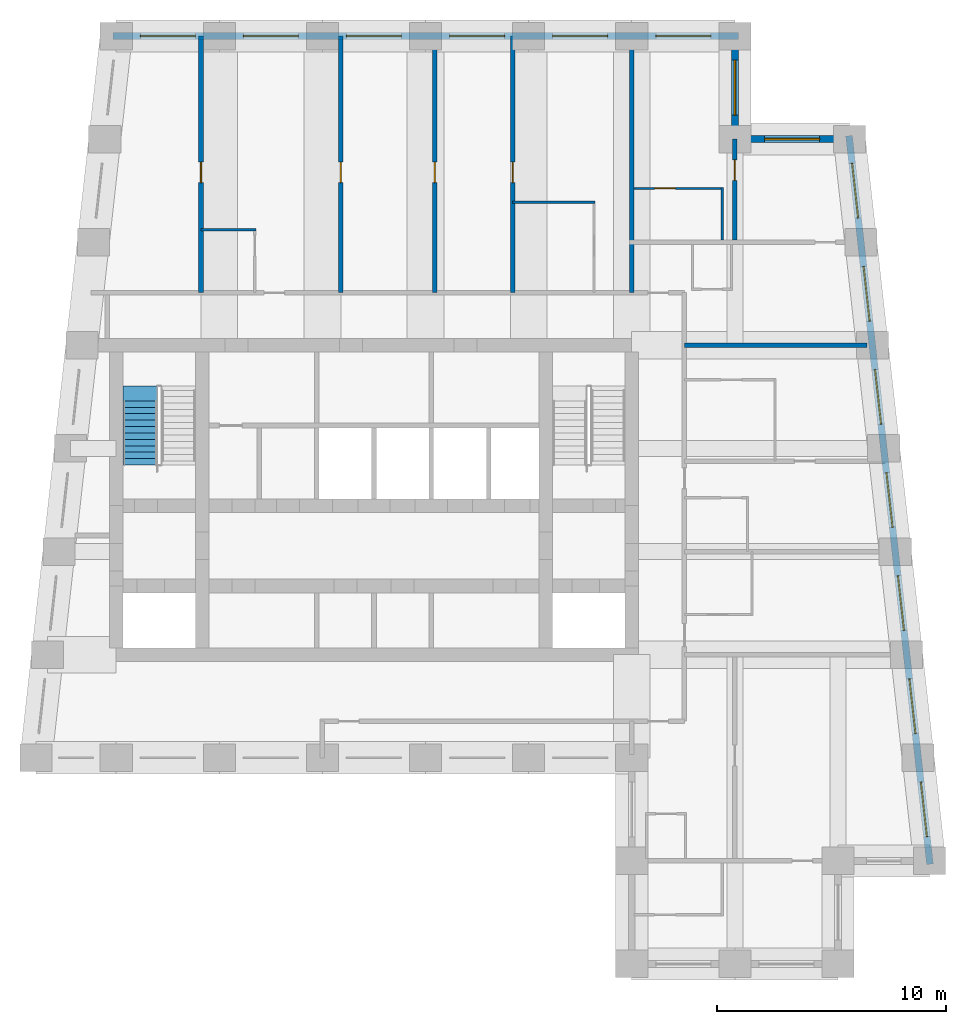
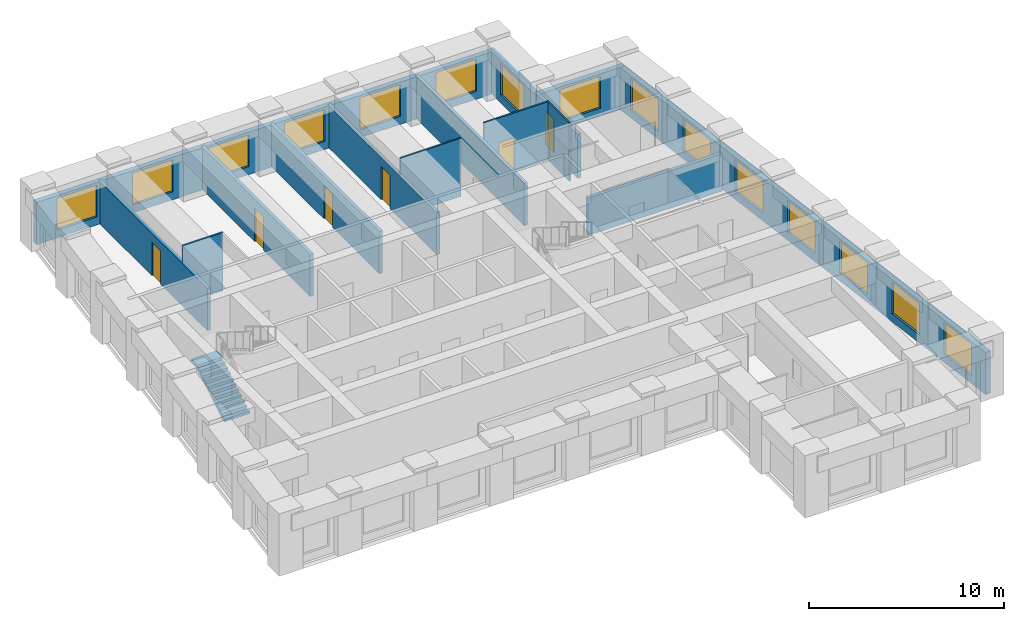
# One storey, part 5 of 7: 15 walls, 15 windows, 6 doors, 1 stair flight, 21 openings, 1 element without a shape of its own.
"""IFC4 building model written with IfcOpenShell, lengths in metres."""

import ifcopenshell
import ifcopenshell.guid

model = None  # the IFC model being written
_history = None  # IfcOwnerHistory: only IFC2X3 demands one
_inside = {}  # id of a spatial element -> (the spatial element, [elements in it])
_under = {}  # id of a project, library or spatial element -> (it, [spatial elements below it])
_declared = {}  # id of a project -> (the project, [libraries it declares])
_typed = {}  # id of a type object -> (the type object, [elements of that type])
_made_of = {}  # id of a material, layer set ... -> (it, [elements and type objects made of it])


def new_model(schema):
    """Start an empty IFC model of exactly this schema.

    Asked for "IFC4X3", IfcOpenShell would pick the latest addendum, in which some entities
    have other attributes; the version numbers below select the first issue.
    IFC2X3 requires an IfcOwnerHistory on every rooted entity: one is made here for all.
    """
    global model, _history
    if schema == "IFC4X3":
        model = ifcopenshell.file(schema_version=(4, 3, 0, 0))
    else:
        model = ifcopenshell.file(schema=schema)
    _inside.clear()
    _under.clear()
    _declared.clear()
    _typed.clear()
    _made_of.clear()
    _history = None
    if model.schema == "IFC2X3":
        org = make("IfcOrganization", Name="unknown")
        user = make(
            "IfcPersonAndOrganization",
            ThePerson=make("IfcPerson", FamilyName="unknown"),
            TheOrganization=org,
        )
        app = make(
            "IfcApplication",
            ApplicationDeveloper=org,
            Version="unknown",
            ApplicationFullName="unknown",
            ApplicationIdentifier="unknown",
        )
        _history = make(
            "IfcOwnerHistory",
            OwningUser=user,
            OwningApplication=app,
            ChangeAction="ADDED",
            CreationDate=0,
        )
    return model


def make(cls, **values):
    """One entity of the class cls with the attributes given. An attribute that is None is left unset."""
    return model.create_entity(
        cls, **{name: value for name, value in values.items() if value is not None}
    )


def rooted(cls, **values):
    """An entity with a GlobalId (a new one), such as an element, a storey or a relation."""
    return make(cls, GlobalId=ifcopenshell.guid.new(), OwnerHistory=_history, **values)


def si_unit(unit_type, name, prefix=None):
    """IfcSIUnit, for example si_unit("LENGTHUNIT", "METRE", prefix="MILLI")."""
    return make("IfcSIUnit", UnitType=unit_type, Prefix=prefix, Name=name)


def assignment(units):
    """IfcUnitAssignment: the units of a project."""
    return None if units is None else make("IfcUnitAssignment", Units=units)


def point(xyz):
    """IfcCartesianPoint."""
    return None if xyz is None else make("IfcCartesianPoint", Coordinates=xyz)


def direction(xyz):
    """IfcDirection."""
    return None if xyz is None else make("IfcDirection", DirectionRatios=xyz)


def frame(location, z_axis=None, x_axis=None):
    """IfcAxis2Placement3D, a coordinate frame: its origin and axes. An axis left out is left unset."""
    return make(
        "IfcAxis2Placement3D",
        Location=point(location),
        Axis=direction(z_axis),
        RefDirection=direction(x_axis),
    )


def frame_2d(location, x_axis=None):
    """IfcAxis2Placement2D, a coordinate frame in the plane: its origin and x axis."""
    return make(
        "IfcAxis2Placement2D", Location=point(location), RefDirection=direction(x_axis)
    )


def origin():
    """The frame at (0, 0, 0) with its axes left unset."""
    return frame((0.0, 0.0, 0.0))


def place(relative_to, where):
    """IfcLocalPlacement: puts the frame where relative to a parent placement (None: the world)."""
    return make(
        "IfcLocalPlacement", PlacementRelTo=relative_to, RelativePlacement=where
    )


def context(
    kind, dimensions, precision=None, world=None, true_north=None, identifier=None
):
    """IfcGeometricRepresentationContext, for example the 3D "Model" context."""
    return make(
        "IfcGeometricRepresentationContext",
        ContextIdentifier=identifier,
        ContextType=kind,
        CoordinateSpaceDimension=dimensions,
        Precision=precision,
        WorldCoordinateSystem=world,
        TrueNorth=true_north,
    )


def subcontext(parent, identifier, kind, view, scale=None):
    """IfcGeometricRepresentationSubContext, for example "Body" below "Model"."""
    return make(
        "IfcGeometricRepresentationSubContext",
        ContextIdentifier=identifier,
        ContextType=kind,
        ParentContext=parent,
        TargetScale=scale,
        TargetView=view,
    )


def project(units=None, contexts=None):
    """IfcProject with its units and contexts."""
    return rooted(
        "IfcProject",
        Name="project",
        RepresentationContexts=contexts,
        UnitsInContext=assignment(units),
    )


def spatial(cls, under=None, at=None, **own):
    """A site, building, storey or space (cls), placed at a placement, below another one or the project."""
    s = rooted(cls, ObjectPlacement=at, **own)
    if under is not None:
        _under.setdefault(under.id(), (under, []))[1].append(s)
    return s


def polyline(points):
    """IfcPolyline through the points."""
    return make("IfcPolyline", Points=[point(p) for p in points])


def profile(cls, at=None, kind="AREA", **sizes):
    """A parametric profile (cls). Its sizes go by their IFC names, for example OverallWidth=200.0."""
    return make(cls, ProfileType=kind, Position=at, **sizes)


def rectangle(**sizes):
    """IfcRectangleProfileDef."""
    return profile("IfcRectangleProfileDef", **sizes)


def outline(outer, holes=None, kind="AREA"):
    """IfcArbitraryClosedProfileDef: a profile drawn as a closed curve; with holes, ...WithVoids."""
    if holes is None:
        return make("IfcArbitraryClosedProfileDef", ProfileType=kind, OuterCurve=outer)
    return make(
        "IfcArbitraryProfileDefWithVoids",
        ProfileType=kind,
        OuterCurve=outer,
        InnerCurves=holes,
    )


def extrude(swept, where, along, depth):
    """IfcExtrudedAreaSolid: the profile swept, set in the frame where, extruded along a direction by depth."""
    return make(
        "IfcExtrudedAreaSolid",
        SweptArea=swept,
        Position=where,
        ExtrudedDirection=direction(along),
        Depth=depth,
    )


def shape(context_of_items, identifier, shape_type, items):
    """IfcShapeRepresentation: the items that make up one representation, for example the "Body"."""
    return make(
        "IfcShapeRepresentation",
        ContextOfItems=context_of_items,
        RepresentationIdentifier=identifier,
        RepresentationType=shape_type,
        Items=items,
    )


def material(Name=None, Category=None):
    """IfcMaterial."""
    return make("IfcMaterial", Name=Name, Category=Category)


def layer(
    of_material, thickness, ventilated=None, Name=None, Category=None, Priority=None
):
    """IfcMaterialLayer: one layer of a wall or slab, of a material (None: an air gap)."""
    return make(
        "IfcMaterialLayer",
        Material=of_material,
        LayerThickness=thickness,
        IsVentilated=ventilated,
        Name=Name,
        Category=Category,
        Priority=Priority,
    )


def layer_set(layers, Name=None):
    """IfcMaterialLayerSet."""
    return make("IfcMaterialLayerSet", MaterialLayers=layers, LayerSetName=Name)


def made_of(thing, what):
    """Note that an element or type object is made of a material, layer set ...; save() writes the relation."""
    if what is not None:
        _made_of.setdefault(what.id(), (what, []))[1].append(thing)
    return thing


def type_object(cls, material=None, **own):
    """A type object (cls), such as IfcWallType, which elements share."""
    return made_of(rooted(cls, **own), material)


def element(
    cls,
    number,
    at=None,
    inside=None,
    cuts=None,
    type_object=None,
    material=None,
    context=None,
    identifier="Body",
    shape_type=None,
    held_by="IfcProductDefinitionShape",
    body=None,
    shapes=None,
    **own,
):
    """One element of the class cls, such as IfcWall. Its Tag is "e" and its number.

    at: its placement. inside: the storey or other place that contains it. cuts: it is an
    opening in that element (IfcRelVoidsElement). A single representation is given by context,
    identifier, shape_type and body (its items); several are given by shapes. held_by: the class
    of the entity that holds the representations. save() writes the other relations.
    """
    e = rooted(cls, Tag="e%d" % number, ObjectPlacement=at, **own)
    if body is not None:
        shapes = [shape(context, identifier, shape_type, body)]
    if shapes is not None:
        e.Representation = make(held_by, Representations=shapes)
    if inside is not None:
        _inside.setdefault(inside.id(), (inside, []))[1].append(e)
    if cuts is not None:
        rooted(
            "IfcRelVoidsElement", RelatingBuildingElement=cuts, RelatedOpeningElement=e
        )
    if type_object is not None:
        _typed.setdefault(type_object.id(), (type_object, []))[1].append(e)
    return made_of(e, material)


def fill(opening, filler):
    """IfcRelFillsElement: the door or window that sits in an opening."""
    return rooted(
        "IfcRelFillsElement",
        RelatingOpeningElement=opening,
        RelatedBuildingElement=filler,
    )


def aggregate(whole, parts):
    """IfcRelAggregates: a whole, such as a stair, and the parts it consists of."""
    return rooted("IfcRelAggregates", RelatingObject=whole, RelatedObjects=parts)


def save(model, path):
    """Write the relations noted so far, then the file.

    IfcRelAggregates (storeys below a building ...), IfcRelContainedInSpatialStructure (elements
    in a storey), IfcRelDefinesByType, IfcRelAssociatesMaterial and IfcRelDeclares: one each for
    every whole, place, type object, material and project.
    """
    for whole, parts in _under.values():
        aggregate(whole, parts)
    for where, things in _inside.values():
        rooted(
            "IfcRelContainedInSpatialStructure",
            RelatedElements=things,
            RelatingStructure=where,
        )
    for kind, things in _typed.values():
        rooted("IfcRelDefinesByType", RelatedObjects=things, RelatingType=kind)
    for what, things in _made_of.values():
        rooted("IfcRelAssociatesMaterial", RelatedObjects=things, RelatingMaterial=what)
    for by, libraries in _declared.values():
        rooted("IfcRelDeclares", RelatingContext=by, RelatedDefinitions=libraries)
    model.write(path)


model = new_model("IFC4")

# Units and contexts
model_context = context("Model", 3, precision=1e-05, world=origin(), true_north=direction((0.0, 1.0)))
body_context = subcontext(model_context, "Body", "Model", "MODEL_VIEW")
ifc_project = project(units=[si_unit("LENGTHUNIT", "METRE"), si_unit("AREAUNIT", "SQUARE_METRE"), si_unit("VOLUMEUNIT", "CUBIC_METRE"), si_unit("PLANEANGLEUNIT", "RADIAN"), si_unit("MASSUNIT", "GRAM", prefix="KILO")], contexts=[model_context])

# Site, building, storey
site_placement = place(None, origin())
site = spatial("IfcSite", under=ifc_project, at=site_placement, CompositionType="ELEMENT")
building_placement = place(site_placement, origin())
building = spatial("IfcBuilding", under=site, at=building_placement, Name="Kilele Tower Hotel", CompositionType="ELEMENT")
storey_placement = place(building_placement, frame((0.0, 0.0, 278.0)))
storey = spatial("IfcBuildingStorey", under=building, at=storey_placement, Name="L71", CompositionType="ELEMENT", Elevation=278.0)

# Walls
ifc_material_1 = material(Name="Moisture-resistant board")
ifc_layer_1 = layer(ifc_material_1, 0.10009765625)
ifc_layer_set_1 = layer_set([ifc_layer_1], Name="Moisture-resistant board")
wall_type_1 = type_object("IfcWallType", Name="Bathroom partition 100", PredefinedType="PLUMBINGWALL", material=ifc_layer_set_1)
wall_1_placement = place(storey_placement, frame((17.199951171875, 32.050048828125, 0.0), z_axis=(0.0, 0.0, 1.0), x_axis=(1.0, 0.0, 0.0)))
element("IfcWall", 1, at=wall_1_placement, inside=storey, type_object=wall_type_1, Name="Bathroom partition 100 L71", PredefinedType="PLUMBINGWALL", context=body_context, shape_type="SweptSolid", body=[
    extrude(rectangle(XDim=2.400146484375, YDim=0.10009765625, at=frame_2d((1.2001953125, 0.0))), origin(), (0.0, 0.0, 1.0), 3.64990234375),
])
wall_2_placement = place(storey_placement, frame((30.800048828125, 33.25, 0.0), z_axis=(0.0, 0.0, 1.0), x_axis=(1.0, 0.0, 0.0)))
element("IfcWall", 2, at=wall_2_placement, inside=storey, type_object=wall_type_1, Name="Bathroom partition 100 L71", PredefinedType="PLUMBINGWALL", context=body_context, shape_type="SweptSolid", body=[
    extrude(rectangle(XDim=3.599853515625, YDim=0.10009765625, at=frame_2d((1.7998046875, 0.0))), origin(), (0.0, 0.0, 1.0), 3.64990234375),
])
wall_3_placement = place(storey_placement, frame((39.949951171875, 31.60009765625, 0.0), z_axis=(0.0, 0.0, 1.0), x_axis=(0.0, 1.0, 0.0)))
element("IfcWall", 3, at=wall_3_placement, inside=storey, type_object=wall_type_1, Name="Bathroom partition 100 L71", PredefinedType="PLUMBINGWALL", context=body_context, shape_type="SweptSolid", body=[
    extrude(rectangle(XDim=2.2998046875, YDim=0.10009765625, at=frame_2d((1.14990234375, 0.0))), origin(), (0.0, 0.0, 1.0), 3.64990234375),
])

# Wall, opening, door
wall_4_placement = place(storey_placement, frame((36.10009765625, 33.85009765625, 0.0), z_axis=(0.0, 0.0, 1.0), x_axis=(1.0, 0.0, 0.0)))
wall_4 = element("IfcWall", 4, at=wall_4_placement, inside=storey, type_object=wall_type_1, Name="Bathroom partition 100 L71", PredefinedType="PLUMBINGWALL", context=body_context, shape_type="SweptSolid", body=[
    extrude(rectangle(XDim=3.89990234375, YDim=0.10009765625, at=frame_2d((1.949951171875, 0.0))), origin(), (0.0, 0.0, 1.0), 3.64990234375),
])
opening_1_placement = place(wall_4_placement, frame((0.89990234375, 0.0, 0.0)))
opening_1 = element("IfcOpeningElement", 5, at=opening_1_placement, cuts=wall_4, Name="Opening D2A", PredefinedType="OPENING", context=body_context, shape_type="SweptSolid", body=[
    extrude(rectangle(XDim=0.89990234375, YDim=2.10009765625, at=frame_2d((0.449951171875, 1.050048828125))), frame((0.0, 0.06005859375, 0.0), z_axis=(0.0, -1.0, 0.0), x_axis=(1.0, 0.0, 0.0)), (0.0, 0.0, 1.0), 0.1201171875),
])
ifc_material_2 = material(Name="Timber door leaf in hardwood frame", Category="wood")
door_type_1 = type_object("IfcDoorType", Name="Bathroom door 900", OperationType="SINGLE_SWING_LEFT", PredefinedType="DOOR", material=ifc_material_2)
door_1_placement = place(opening_1_placement, origin())
door_1 = element("IfcDoor", 6, at=door_1_placement, inside=storey, type_object=door_type_1, Name="Bathroom door 7115B", OperationType="SINGLE_SWING_LEFT", OverallHeight=2.10009765625, OverallWidth=0.89990234375, PredefinedType="DOOR", context=body_context, shape_type="SweptSolid", body=[
    extrude(rectangle(XDim=0.89990234375, YDim=2.10009765625, at=frame_2d((0.449951171875, 1.050048828125))), frame((0.0, 0.02490234375, 0.0), z_axis=(0.0, -1.0, 0.0), x_axis=(1.0, 0.0, 0.0)), (0.0, 0.0, 1.0), 0.050048828125),
])
fill(opening_1, door_1)

ifc_material_3 = material(Name="Blockwork, plastered both sides", Category="masonry")
ifc_layer_2 = layer(ifc_material_3, 0.199951171875)
ifc_layer_set_2 = layer_set([ifc_layer_2], Name="Blockwork, plastered both sides")
wall_type_2 = type_object("IfcWallType", Name="Partition wall 200", PredefinedType="PARTITIONING", material=ifc_layer_set_2)
wall_5_placement = place(storey_placement, frame((40.5, 31.60009765625, 0.0), z_axis=(0.0, 0.0, 1.0), x_axis=(0.0, 1.0, 0.0)))
wall_5 = element("IfcWall", 7, at=wall_5_placement, inside=storey, type_object=wall_type_2, Name="Partition wall 200 L71", PredefinedType="PARTITIONING", context=body_context, shape_type="SweptSolid", body=[
    extrude(rectangle(XDim=4.39990234375, YDim=0.199951171875, at=frame_2d((2.199951171875, 0.0))), origin(), (0.0, 0.0, 1.0), 2.75),
])
opening_2_placement = place(wall_5_placement, frame((2.60009765625, 0.0, 0.0)))
opening_2 = element("IfcOpeningElement", 8, at=opening_2_placement, cuts=wall_5, Name="Opening D3", PredefinedType="OPENING", context=body_context, shape_type="SweptSolid", body=[
    extrude(rectangle(XDim=0.89990234375, YDim=2.10009765625, at=frame_2d((0.449951171875, 1.050048828125))), frame((0.0, 0.10986328125, 0.0), z_axis=(0.0, -1.0, 0.0), x_axis=(1.0, 0.0, 0.0)), (0.0, 0.0, 1.0), 0.219970703125),
])
ifc_material_4 = material(Name="Timber door leaf in hardwood frame", Category="wood")
door_type_2 = type_object("IfcDoorType", Name="Suite internal door 900", OperationType="SINGLE_SWING_LEFT", PredefinedType="DOOR", material=ifc_material_4)
door_2_placement = place(opening_2_placement, origin())
door_2 = element("IfcDoor", 9, at=door_2_placement, inside=storey, type_object=door_type_2, Name="Suite door 7116", OperationType="SINGLE_SWING_LEFT", OverallHeight=2.10009765625, OverallWidth=0.89990234375, PredefinedType="DOOR", context=body_context, shape_type="SweptSolid", body=[
    extrude(rectangle(XDim=0.89990234375, YDim=2.10009765625, at=frame_2d((0.449951171875, 1.050048828125))), frame((0.0, 0.02490234375, 0.0), z_axis=(0.0, -1.0, 0.0), x_axis=(1.0, 0.0, 0.0)), (0.0, 0.0, 1.0), 0.050048828125),
])
fill(opening_2, door_2)

ifc_material_5 = material(Name="Blockwork, plastered both sides", Category="masonry")
ifc_layer_3 = layer(ifc_material_5, 0.199951171875)
ifc_layer_set_3 = layer_set([ifc_layer_3], Name="Blockwork, plastered both sides")
wall_type_3 = type_object("IfcWallType", Name="Party wall 200", PredefinedType="PARTITIONING", material=ifc_layer_set_3)
wall_6_placement = place(storey_placement, frame((17.199951171875, 29.300048828125, 0.0), z_axis=(0.0, 0.0, 1.0), x_axis=(0.0, 1.0, 0.0)))
wall_6 = element("IfcWall", 10, at=wall_6_placement, inside=storey, type_object=wall_type_3, Name="Party wall 200 L71", PredefinedType="PARTITIONING", context=body_context, shape_type="SweptSolid", body=[
    extrude(rectangle(XDim=11.199951171875, YDim=0.199951171875, at=frame_2d((5.60009765625, 0.0))), origin(), (0.0, 0.0, 1.0), 2.64990234375),
])
opening_3_placement = place(wall_6_placement, frame((4.800048828125, 0.0, 0.0)))
opening_3 = element("IfcOpeningElement", 11, at=opening_3_placement, cuts=wall_6, Name="Opening D3", PredefinedType="OPENING", context=body_context, shape_type="SweptSolid", body=[
    extrude(rectangle(XDim=0.89990234375, YDim=2.10009765625, at=frame_2d((0.449951171875, 1.050048828125))), frame((0.0, 0.10986328125, 0.0), z_axis=(0.0, -1.0, 0.0), x_axis=(1.0, 0.0, 0.0)), (0.0, 0.0, 1.0), 0.219970703125),
])
door_3_placement = place(opening_3_placement, origin())
door_3 = element("IfcDoor", 12, at=door_3_placement, inside=storey, type_object=door_type_2, Name="Suite door 7107", OperationType="SINGLE_SWING_LEFT", OverallHeight=2.10009765625, OverallWidth=0.89990234375, PredefinedType="DOOR", context=body_context, shape_type="SweptSolid", body=[
    extrude(rectangle(XDim=0.89990234375, YDim=2.10009765625, at=frame_2d((0.449951171875, 1.050048828125))), frame((0.0, 0.02490234375, 0.0), z_axis=(0.0, -1.0, 0.0), x_axis=(1.0, 0.0, 0.0)), (0.0, 0.0, 1.0), 0.050048828125),
])
fill(opening_3, door_3)

wall_7_placement = place(storey_placement, frame((23.300048828125, 29.300048828125, 0.0), z_axis=(0.0, 0.0, 1.0), x_axis=(0.0, 1.0, 0.0)))
wall_7 = element("IfcWall", 13, at=wall_7_placement, inside=storey, type_object=wall_type_3, Name="Party wall 200 L71", PredefinedType="PARTITIONING", context=body_context, shape_type="SweptSolid", body=[
    extrude(rectangle(XDim=11.199951171875, YDim=0.199951171875, at=frame_2d((5.60009765625, 0.0))), origin(), (0.0, 0.0, 1.0), 2.64990234375),
])
opening_4_placement = place(wall_7_placement, frame((4.800048828125, 0.0, 0.0)))
opening_4 = element("IfcOpeningElement", 14, at=opening_4_placement, cuts=wall_7, Name="Opening D3", PredefinedType="OPENING", context=body_context, shape_type="SweptSolid", body=[
    extrude(rectangle(XDim=0.89990234375, YDim=2.10009765625, at=frame_2d((0.449951171875, 1.050048828125))), frame((0.0, 0.10986328125, 0.0), z_axis=(0.0, -1.0, 0.0), x_axis=(1.0, 0.0, 0.0)), (0.0, 0.0, 1.0), 0.219970703125),
])
door_4_placement = place(opening_4_placement, origin())
door_4 = element("IfcDoor", 15, at=door_4_placement, inside=storey, type_object=door_type_2, Name="Suite door 7108", OperationType="SINGLE_SWING_LEFT", OverallHeight=2.10009765625, OverallWidth=0.89990234375, PredefinedType="DOOR", context=body_context, shape_type="SweptSolid", body=[
    extrude(rectangle(XDim=0.89990234375, YDim=2.10009765625, at=frame_2d((0.449951171875, 1.050048828125))), frame((0.0, 0.02490234375, 0.0), z_axis=(0.0, -1.0, 0.0), x_axis=(1.0, 0.0, 0.0)), (0.0, 0.0, 1.0), 0.050048828125),
])
fill(opening_4, door_4)

wall_8_placement = place(storey_placement, frame((27.39990234375, 29.300048828125, 0.0), z_axis=(0.0, 0.0, 1.0), x_axis=(0.0, 1.0, 0.0)))
wall_8 = element("IfcWall", 16, at=wall_8_placement, inside=storey, type_object=wall_type_3, Name="Party wall 200 L71", PredefinedType="PARTITIONING", context=body_context, shape_type="SweptSolid", body=[
    extrude(rectangle(XDim=11.199951171875, YDim=0.199951171875, at=frame_2d((5.60009765625, 0.0))), origin(), (0.0, 0.0, 1.0), 2.64990234375),
])
opening_5_placement = place(wall_8_placement, frame((4.800048828125, 0.0, 0.0)))
opening_5 = element("IfcOpeningElement", 17, at=opening_5_placement, cuts=wall_8, Name="Opening D3", PredefinedType="OPENING", context=body_context, shape_type="SweptSolid", body=[
    extrude(rectangle(XDim=0.89990234375, YDim=2.10009765625, at=frame_2d((0.449951171875, 1.050048828125))), frame((0.0, 0.10986328125, 0.0), z_axis=(0.0, -1.0, 0.0), x_axis=(1.0, 0.0, 0.0)), (0.0, 0.0, 1.0), 0.219970703125),
])
door_5_placement = place(opening_5_placement, origin())
door_5 = element("IfcDoor", 18, at=door_5_placement, inside=storey, type_object=door_type_2, Name="Suite door 7109", OperationType="SINGLE_SWING_LEFT", OverallHeight=2.10009765625, OverallWidth=0.89990234375, PredefinedType="DOOR", context=body_context, shape_type="SweptSolid", body=[
    extrude(rectangle(XDim=0.89990234375, YDim=2.10009765625, at=frame_2d((0.449951171875, 1.050048828125))), frame((0.0, 0.02490234375, 0.0), z_axis=(0.0, -1.0, 0.0), x_axis=(1.0, 0.0, 0.0)), (0.0, 0.0, 1.0), 0.050048828125),
])
fill(opening_5, door_5)

wall_9_placement = place(storey_placement, frame((30.800048828125, 29.300048828125, 0.0), z_axis=(0.0, 0.0, 1.0), x_axis=(0.0, 1.0, 0.0)))
wall_9 = element("IfcWall", 19, at=wall_9_placement, inside=storey, type_object=wall_type_3, Name="Party wall 200 L71", PredefinedType="PARTITIONING", context=body_context, shape_type="SweptSolid", body=[
    extrude(rectangle(XDim=11.199951171875, YDim=0.199951171875, at=frame_2d((5.60009765625, 0.0))), origin(), (0.0, 0.0, 1.0), 2.64990234375),
])
opening_6_placement = place(wall_9_placement, frame((5.699951171875, 0.0, 0.0), z_axis=(0.0, 0.0, 1.0), x_axis=(-1.0, 0.0, 0.0)))
opening_6 = element("IfcOpeningElement", 20, at=opening_6_placement, cuts=wall_9, Name="Opening D3", PredefinedType="OPENING", context=body_context, shape_type="SweptSolid", body=[
    extrude(rectangle(XDim=0.89990234375, YDim=2.10009765625, at=frame_2d((0.449951171875, 1.050048828125))), frame((0.0, 0.10986328125, 0.0), z_axis=(0.0, -1.0, 0.0), x_axis=(1.0, 0.0, 0.0)), (0.0, 0.0, 1.0), 0.219970703125),
])
door_6_placement = place(opening_6_placement, origin())
door_6 = element("IfcDoor", 21, at=door_6_placement, inside=storey, type_object=door_type_2, Name="Suite door 7110", OperationType="SINGLE_SWING_RIGHT", OverallHeight=2.10009765625, OverallWidth=0.89990234375, PredefinedType="DOOR", context=body_context, shape_type="SweptSolid", body=[
    extrude(rectangle(XDim=0.89990234375, YDim=2.10009765625, at=frame_2d((0.449951171875, 1.050048828125))), frame((0.0, 0.02490234375, 0.0), z_axis=(0.0, -1.0, 0.0), x_axis=(1.0, 0.0, 0.0)), (0.0, 0.0, 1.0), 0.050048828125),
])
fill(opening_6, door_6)

# Walls
wall_10_placement = place(storey_placement, frame((38.300048828125, 27.0, 0.0), z_axis=(0.0, 0.0, 1.0), x_axis=(1.0, 0.0, 0.0)))
element("IfcWall", 22, at=wall_10_placement, inside=storey, type_object=wall_type_3, Name="Party wall 200 L71", PredefinedType="PARTITIONING", context=body_context, shape_type="SweptSolid", body=[
    extrude(rectangle(XDim=7.976806640625, YDim=0.199951171875, at=frame_2d((3.98828125, 0.0))), origin(), (0.0, 0.0, 1.0), 2.35009765625),
])
wall_11_placement = place(storey_placement, frame((36.0, 29.300048828125, 0.0), z_axis=(0.0, 0.0, 1.0), x_axis=(0.0, 1.0, 0.0)))
element("IfcWall", 23, at=wall_11_placement, inside=storey, type_object=wall_type_3, Name="Party wall 200 L71", PredefinedType="PARTITIONING", context=body_context, shape_type="SweptSolid", body=[
    extrude(rectangle(XDim=11.199951171875, YDim=0.199951171875, at=frame_2d((5.60009765625, 0.0))), origin(), (0.0, 0.0, 1.0), 2.64990234375),
])

# Wall, openings, windows
ifc_material_6 = material(Name="Concrete C40/50 precast", Category="concrete")
ifc_layer_4 = layer(ifc_material_6, 0.260009765625, Name="Precast backing", Category="LoadBearing")
ifc_material_7 = material(Name="Reconstituted stone finish", Category="masonry")
ifc_layer_5 = layer(ifc_material_7, 0.0400390625, Name="Face mix", Category="Finish")
ifc_layer_set_4 = layer_set([ifc_layer_4, ifc_layer_5], Name="Precast concrete C40/50, reconstituted stone finish")
wall_type_4 = type_object("IfcWallType", Name="Precast stone facade wall 300", PredefinedType="STANDARD", material=ifc_layer_set_4)
wall_12_placement = place(storey_placement, frame((49.0166015625, 4.350830078125, 0.0), z_axis=(0.0, 0.0, 1.0), x_axis=(-0.110433201132, 0.993883548555, 0.0)))
wall_12 = element("IfcWall", 24, at=wall_12_placement, inside=storey, type_object=wall_type_4, Name="Facade wall L71 edge 6", PredefinedType="STANDARD", context=body_context, shape_type="SweptSolid", body=[
    extrude(rectangle(XDim=31.994140625, YDim=0.300048828125, at=frame_2d((15.9970703125, 0.0))), origin(), (0.0, 0.0, 1.0), 2.64990234375),
])
opening_7_placement = place(wall_12_placement, frame((1.214111328125, 0.0, 0.5)))
opening_7 = element("IfcOpeningElement", 25, at=opening_7_placement, cuts=wall_12, Name="Opening W4", PredefinedType="OPENING", context=body_context, shape_type="SweptSolid", body=[
    extrude(rectangle(XDim=2.39990234375, YDim=2.0, at=frame_2d((1.199951171875, 1.0))), frame((0.0, 0.159912109375, 0.0), z_axis=(0.0, -1.0, 0.0), x_axis=(1.0, 0.0, 0.0)), (0.0, 0.0, 1.0), 0.320068359375),
])
opening_8_placement = place(wall_12_placement, frame((5.741943359375, 0.0, 0.5)))
opening_8 = element("IfcOpeningElement", 26, at=opening_8_placement, cuts=wall_12, Name="Opening W4", PredefinedType="OPENING", context=body_context, shape_type="SweptSolid", body=[
    extrude(rectangle(XDim=2.39990234375, YDim=2.0, at=frame_2d((1.199951171875, 1.0))), frame((0.0, 0.159912109375, 0.0), z_axis=(0.0, -1.0, 0.0), x_axis=(1.0, 0.0, 0.0)), (0.0, 0.0, 1.0), 0.320068359375),
])
opening_9_placement = place(wall_12_placement, frame((10.26904296875, 0.0, 0.5)))
opening_9 = element("IfcOpeningElement", 27, at=opening_9_placement, cuts=wall_12, Name="Opening W4", PredefinedType="OPENING", context=body_context, shape_type="SweptSolid", body=[
    extrude(rectangle(XDim=2.39990234375, YDim=2.0, at=frame_2d((1.199951171875, 1.0))), frame((0.0, 0.159912109375, 0.0), z_axis=(0.0, -1.0, 0.0), x_axis=(1.0, 0.0, 0.0)), (0.0, 0.0, 1.0), 0.320068359375),
])
opening_10_placement = place(wall_12_placement, frame((14.797119140625, 0.0, 0.5)))
opening_10 = element("IfcOpeningElement", 28, at=opening_10_placement, cuts=wall_12, Name="Opening W4", PredefinedType="OPENING", context=body_context, shape_type="SweptSolid", body=[
    extrude(rectangle(XDim=2.39990234375, YDim=2.0, at=frame_2d((1.199951171875, 1.0))), frame((0.0, 0.159912109375, 0.0), z_axis=(0.0, -1.0, 0.0), x_axis=(1.0, 0.0, 0.0)), (0.0, 0.0, 1.0), 0.320068359375),
])
opening_11_placement = place(wall_12_placement, frame((19.324951171875, 0.0, 0.5)))
opening_11 = element("IfcOpeningElement", 29, at=opening_11_placement, cuts=wall_12, Name="Opening W4", PredefinedType="OPENING", context=body_context, shape_type="SweptSolid", body=[
    extrude(rectangle(XDim=2.39990234375, YDim=2.0, at=frame_2d((1.199951171875, 1.0))), frame((0.0, 0.159912109375, 0.0), z_axis=(0.0, -1.0, 0.0), x_axis=(1.0, 0.0, 0.0)), (0.0, 0.0, 1.0), 0.320068359375),
])
opening_12_placement = place(wall_12_placement, frame((23.85205078125, 0.0, 0.5)))
opening_12 = element("IfcOpeningElement", 30, at=opening_12_placement, cuts=wall_12, Name="Opening W4", PredefinedType="OPENING", context=body_context, shape_type="SweptSolid", body=[
    extrude(rectangle(XDim=2.39990234375, YDim=2.0, at=frame_2d((1.199951171875, 1.0))), frame((0.0, 0.159912109375, 0.0), z_axis=(0.0, -1.0, 0.0), x_axis=(1.0, 0.0, 0.0)), (0.0, 0.0, 1.0), 0.320068359375),
])
opening_13_placement = place(wall_12_placement, frame((28.3798828125, 0.0, 0.5)))
opening_13 = element("IfcOpeningElement", 31, at=opening_13_placement, cuts=wall_12, Name="Opening W4", PredefinedType="OPENING", context=body_context, shape_type="SweptSolid", body=[
    extrude(rectangle(XDim=2.39990234375, YDim=2.0, at=frame_2d((1.199951171875, 1.0))), frame((0.0, 0.159912109375, 0.0), z_axis=(0.0, -1.0, 0.0), x_axis=(1.0, 0.0, 0.0)), (0.0, 0.0, 1.0), 0.320068359375),
])
ifc_material_8 = material(Name="Aluminium frame, clear double glazing", Category="aluminium")
window_type = type_object("IfcWindowType", Name="Window W4 2400 x 2000", PartitioningType="SINGLE_PANEL", PredefinedType="WINDOW", material=ifc_material_8)
window_1_placement = place(opening_7_placement, origin())
window_1 = element("IfcWindow", 32, at=window_1_placement, inside=storey, type_object=window_type, Name="Window L71", OverallHeight=2.0, OverallWidth=2.39990234375, PartitioningType="SINGLE_PANEL", PredefinedType="WINDOW", context=body_context, shape_type="SweptSolid", body=[
    extrude(rectangle(XDim=2.39990234375, YDim=2.0, at=frame_2d((1.199951171875, 1.0))), frame((0.0, 0.030029296875, 0.0), z_axis=(0.0, -1.0, 0.0), x_axis=(1.0, 0.0, 0.0)), (0.0, 0.0, 1.0), 0.06005859375),
])
fill(opening_7, window_1)
window_2_placement = place(opening_8_placement, origin())
window_2 = element("IfcWindow", 33, at=window_2_placement, inside=storey, type_object=window_type, Name="Window L71", OverallHeight=2.0, OverallWidth=2.39990234375, PartitioningType="SINGLE_PANEL", PredefinedType="WINDOW", context=body_context, shape_type="SweptSolid", body=[
    extrude(rectangle(XDim=2.39990234375, YDim=2.0, at=frame_2d((1.199951171875, 1.0))), frame((0.0, 0.030029296875, 0.0), z_axis=(0.0, -1.0, 0.0), x_axis=(1.0, 0.0, 0.0)), (0.0, 0.0, 1.0), 0.06005859375),
])
fill(opening_8, window_2)
window_3_placement = place(opening_9_placement, origin())
window_3 = element("IfcWindow", 34, at=window_3_placement, inside=storey, type_object=window_type, Name="Window L71", OverallHeight=2.0, OverallWidth=2.39990234375, PartitioningType="SINGLE_PANEL", PredefinedType="WINDOW", context=body_context, shape_type="SweptSolid", body=[
    extrude(rectangle(XDim=2.39990234375, YDim=2.0, at=frame_2d((1.199951171875, 1.0))), frame((0.0, 0.030029296875, 0.0), z_axis=(0.0, -1.0, 0.0), x_axis=(1.0, 0.0, 0.0)), (0.0, 0.0, 1.0), 0.06005859375),
])
fill(opening_9, window_3)
window_4_placement = place(opening_10_placement, origin())
window_4 = element("IfcWindow", 35, at=window_4_placement, inside=storey, type_object=window_type, Name="Window L71", OverallHeight=2.0, OverallWidth=2.39990234375, PartitioningType="SINGLE_PANEL", PredefinedType="WINDOW", context=body_context, shape_type="SweptSolid", body=[
    extrude(rectangle(XDim=2.39990234375, YDim=2.0, at=frame_2d((1.199951171875, 1.0))), frame((0.0, 0.030029296875, 0.0), z_axis=(0.0, -1.0, 0.0), x_axis=(1.0, 0.0, 0.0)), (0.0, 0.0, 1.0), 0.06005859375),
])
fill(opening_10, window_4)
window_5_placement = place(opening_11_placement, origin())
window_5 = element("IfcWindow", 36, at=window_5_placement, inside=storey, type_object=window_type, Name="Window L71", OverallHeight=2.0, OverallWidth=2.39990234375, PartitioningType="SINGLE_PANEL", PredefinedType="WINDOW", context=body_context, shape_type="SweptSolid", body=[
    extrude(rectangle(XDim=2.39990234375, YDim=2.0, at=frame_2d((1.199951171875, 1.0))), frame((0.0, 0.030029296875, 0.0), z_axis=(0.0, -1.0, 0.0), x_axis=(1.0, 0.0, 0.0)), (0.0, 0.0, 1.0), 0.06005859375),
])
fill(opening_11, window_5)
window_6_placement = place(opening_12_placement, origin())
window_6 = element("IfcWindow", 37, at=window_6_placement, inside=storey, type_object=window_type, Name="Window L71", OverallHeight=2.0, OverallWidth=2.39990234375, PartitioningType="SINGLE_PANEL", PredefinedType="WINDOW", context=body_context, shape_type="SweptSolid", body=[
    extrude(rectangle(XDim=2.39990234375, YDim=2.0, at=frame_2d((1.199951171875, 1.0))), frame((0.0, 0.030029296875, 0.0), z_axis=(0.0, -1.0, 0.0), x_axis=(1.0, 0.0, 0.0)), (0.0, 0.0, 1.0), 0.06005859375),
])
fill(opening_12, window_6)
window_7_placement = place(opening_13_placement, origin())
window_7 = element("IfcWindow", 38, at=window_7_placement, inside=storey, type_object=window_type, Name="Window L71", OverallHeight=2.0, OverallWidth=2.39990234375, PartitioningType="SINGLE_PANEL", PredefinedType="WINDOW", context=body_context, shape_type="SweptSolid", body=[
    extrude(rectangle(XDim=2.39990234375, YDim=2.0, at=frame_2d((1.199951171875, 1.0))), frame((0.0, 0.030029296875, 0.0), z_axis=(0.0, -1.0, 0.0), x_axis=(1.0, 0.0, 0.0)), (0.0, 0.0, 1.0), 0.06005859375),
])
fill(opening_13, window_7)

# Wall, opening, window
wall_13_placement = place(storey_placement, frame((45.64990234375, 36.0, 0.0), z_axis=(0.0, 0.0, 1.0), x_axis=(-1.0, 0.0, 0.0)))
wall_13 = element("IfcWall", 39, at=wall_13_placement, inside=storey, type_object=wall_type_4, Name="Facade wall L71 edge 7", PredefinedType="STANDARD", context=body_context, shape_type="SweptSolid", body=[
    extrude(rectangle(XDim=5.2998046875, YDim=0.300048828125, at=frame_2d((2.64990234375, 0.0))), origin(), (0.0, 0.0, 1.0), 2.64990234375),
])
opening_14_placement = place(wall_13_placement, frame((1.449951171875, 0.0, 0.5)))
opening_14 = element("IfcOpeningElement", 40, at=opening_14_placement, cuts=wall_13, Name="Opening W4", PredefinedType="OPENING", context=body_context, shape_type="SweptSolid", body=[
    extrude(rectangle(XDim=2.39990234375, YDim=2.0, at=frame_2d((1.199951171875, 1.0))), frame((0.0, 0.159912109375, 0.0), z_axis=(0.0, -1.0, 0.0), x_axis=(1.0, 0.0, 0.0)), (0.0, 0.0, 1.0), 0.320068359375),
])
window_8_placement = place(opening_14_placement, origin())
window_8 = element("IfcWindow", 41, at=window_8_placement, inside=storey, type_object=window_type, Name="Window L71", OverallHeight=2.0, OverallWidth=2.39990234375, PartitioningType="SINGLE_PANEL", PredefinedType="WINDOW", context=body_context, shape_type="SweptSolid", body=[
    extrude(rectangle(XDim=2.39990234375, YDim=2.0, at=frame_2d((1.199951171875, 1.0))), frame((0.0, 0.030029296875, 0.0), z_axis=(0.0, -1.0, 0.0), x_axis=(1.0, 0.0, 0.0)), (0.0, 0.0, 1.0), 0.06005859375),
])
fill(opening_14, window_8)

wall_14_placement = place(storey_placement, frame((40.5, 35.85009765625, 0.0), z_axis=(0.0, 0.0, 1.0), x_axis=(0.0, 1.0, 0.0)))
wall_14 = element("IfcWall", 42, at=wall_14_placement, inside=storey, type_object=wall_type_4, Name="Facade wall L71 edge 8", PredefinedType="STANDARD", context=body_context, shape_type="SweptSolid", body=[
    extrude(rectangle(XDim=4.7998046875, YDim=0.300048828125, at=frame_2d((2.39990234375, 0.0))), origin(), (0.0, 0.0, 1.0), 2.64990234375),
])
opening_15_placement = place(wall_14_placement, frame((1.199951171875, 0.0, 0.5)))
opening_15 = element("IfcOpeningElement", 43, at=opening_15_placement, cuts=wall_14, Name="Opening W4", PredefinedType="OPENING", context=body_context, shape_type="SweptSolid", body=[
    extrude(rectangle(XDim=2.39990234375, YDim=2.0, at=frame_2d((1.199951171875, 1.0))), frame((0.0, 0.159912109375, 0.0), z_axis=(0.0, -1.0, 0.0), x_axis=(1.0, 0.0, 0.0)), (0.0, 0.0, 1.0), 0.320068359375),
])
window_9_placement = place(opening_15_placement, origin())
window_9 = element("IfcWindow", 44, at=window_9_placement, inside=storey, type_object=window_type, Name="Window L71", OverallHeight=2.0, OverallWidth=2.39990234375, PartitioningType="SINGLE_PANEL", PredefinedType="WINDOW", context=body_context, shape_type="SweptSolid", body=[
    extrude(rectangle(XDim=2.39990234375, YDim=2.0, at=frame_2d((1.199951171875, 1.0))), frame((0.0, 0.030029296875, 0.0), z_axis=(0.0, -1.0, 0.0), x_axis=(1.0, 0.0, 0.0)), (0.0, 0.0, 1.0), 0.06005859375),
])
fill(opening_15, window_9)

# Wall, openings, windows
wall_15_placement = place(storey_placement, frame((40.64990234375, 40.5, 0.0), z_axis=(0.0, 0.0, 1.0), x_axis=(-1.0, 0.0, 0.0)))
wall_15 = element("IfcWall", 45, at=wall_15_placement, inside=storey, type_object=wall_type_4, Name="Facade wall L71 edge 9", PredefinedType="STANDARD", context=body_context, shape_type="SweptSolid", body=[
    extrude(rectangle(XDim=27.2998046875, YDim=0.300048828125, at=frame_2d((13.64990234375, 0.0))), origin(), (0.0, 0.0, 1.0), 2.64990234375),
])
opening_16_placement = place(wall_15_placement, frame((1.199951171875, 0.0, 0.5)))
opening_16 = element("IfcOpeningElement", 46, at=opening_16_placement, cuts=wall_15, Name="Opening W4", PredefinedType="OPENING", context=body_context, shape_type="SweptSolid", body=[
    extrude(rectangle(XDim=2.39990234375, YDim=2.0, at=frame_2d((1.199951171875, 1.0))), frame((0.0, 0.159912109375, 0.0), z_axis=(0.0, -1.0, 0.0), x_axis=(1.0, 0.0, 0.0)), (0.0, 0.0, 1.0), 0.320068359375),
])
opening_17_placement = place(wall_15_placement, frame((5.699951171875, 0.0, 0.5)))
opening_17 = element("IfcOpeningElement", 47, at=opening_17_placement, cuts=wall_15, Name="Opening W4", PredefinedType="OPENING", context=body_context, shape_type="SweptSolid", body=[
    extrude(rectangle(XDim=2.39990234375, YDim=2.0, at=frame_2d((1.199951171875, 1.0))), frame((0.0, 0.159912109375, 0.0), z_axis=(0.0, -1.0, 0.0), x_axis=(1.0, 0.0, 0.0)), (0.0, 0.0, 1.0), 0.320068359375),
])
opening_18_placement = place(wall_15_placement, frame((10.199951171875, 0.0, 0.5)))
opening_18 = element("IfcOpeningElement", 48, at=opening_18_placement, cuts=wall_15, Name="Opening W4", PredefinedType="OPENING", context=body_context, shape_type="SweptSolid", body=[
    extrude(rectangle(XDim=2.39990234375, YDim=2.0, at=frame_2d((1.199951171875, 1.0))), frame((0.0, 0.159912109375, 0.0), z_axis=(0.0, -1.0, 0.0), x_axis=(1.0, 0.0, 0.0)), (0.0, 0.0, 1.0), 0.320068359375),
])
opening_19_placement = place(wall_15_placement, frame((14.699951171875, 0.0, 0.5)))
opening_19 = element("IfcOpeningElement", 49, at=opening_19_placement, cuts=wall_15, Name="Opening W4", PredefinedType="OPENING", context=body_context, shape_type="SweptSolid", body=[
    extrude(rectangle(XDim=2.39990234375, YDim=2.0, at=frame_2d((1.199951171875, 1.0))), frame((0.0, 0.159912109375, 0.0), z_axis=(0.0, -1.0, 0.0), x_axis=(1.0, 0.0, 0.0)), (0.0, 0.0, 1.0), 0.320068359375),
])
opening_20_placement = place(wall_15_placement, frame((19.199951171875, 0.0, 0.5)))
opening_20 = element("IfcOpeningElement", 50, at=opening_20_placement, cuts=wall_15, Name="Opening W4", PredefinedType="OPENING", context=body_context, shape_type="SweptSolid", body=[
    extrude(rectangle(XDim=2.39990234375, YDim=2.0, at=frame_2d((1.199951171875, 1.0))), frame((0.0, 0.159912109375, 0.0), z_axis=(0.0, -1.0, 0.0), x_axis=(1.0, 0.0, 0.0)), (0.0, 0.0, 1.0), 0.320068359375),
])
opening_21_placement = place(wall_15_placement, frame((23.699951171875, 0.0, 0.5)))
opening_21 = element("IfcOpeningElement", 51, at=opening_21_placement, cuts=wall_15, Name="Opening W4", PredefinedType="OPENING", context=body_context, shape_type="SweptSolid", body=[
    extrude(rectangle(XDim=2.39990234375, YDim=2.0, at=frame_2d((1.199951171875, 1.0))), frame((0.0, 0.159912109375, 0.0), z_axis=(0.0, -1.0, 0.0), x_axis=(1.0, 0.0, 0.0)), (0.0, 0.0, 1.0), 0.320068359375),
])
window_10_placement = place(opening_16_placement, origin())
window_10 = element("IfcWindow", 52, at=window_10_placement, inside=storey, type_object=window_type, Name="Window L71", OverallHeight=2.0, OverallWidth=2.39990234375, PartitioningType="SINGLE_PANEL", PredefinedType="WINDOW", context=body_context, shape_type="SweptSolid", body=[
    extrude(rectangle(XDim=2.39990234375, YDim=2.0, at=frame_2d((1.199951171875, 1.0))), frame((0.0, 0.030029296875, 0.0), z_axis=(0.0, -1.0, 0.0), x_axis=(1.0, 0.0, 0.0)), (0.0, 0.0, 1.0), 0.06005859375),
])
fill(opening_16, window_10)
window_11_placement = place(opening_17_placement, origin())
window_11 = element("IfcWindow", 53, at=window_11_placement, inside=storey, type_object=window_type, Name="Window L71", OverallHeight=2.0, OverallWidth=2.39990234375, PartitioningType="SINGLE_PANEL", PredefinedType="WINDOW", context=body_context, shape_type="SweptSolid", body=[
    extrude(rectangle(XDim=2.39990234375, YDim=2.0, at=frame_2d((1.199951171875, 1.0))), frame((0.0, 0.030029296875, 0.0), z_axis=(0.0, -1.0, 0.0), x_axis=(1.0, 0.0, 0.0)), (0.0, 0.0, 1.0), 0.06005859375),
])
fill(opening_17, window_11)
window_12_placement = place(opening_18_placement, origin())
window_12 = element("IfcWindow", 54, at=window_12_placement, inside=storey, type_object=window_type, Name="Window L71", OverallHeight=2.0, OverallWidth=2.39990234375, PartitioningType="SINGLE_PANEL", PredefinedType="WINDOW", context=body_context, shape_type="SweptSolid", body=[
    extrude(rectangle(XDim=2.39990234375, YDim=2.0, at=frame_2d((1.199951171875, 1.0))), frame((0.0, 0.030029296875, 0.0), z_axis=(0.0, -1.0, 0.0), x_axis=(1.0, 0.0, 0.0)), (0.0, 0.0, 1.0), 0.06005859375),
])
fill(opening_18, window_12)
window_13_placement = place(opening_19_placement, origin())
window_13 = element("IfcWindow", 55, at=window_13_placement, inside=storey, type_object=window_type, Name="Window L71", OverallHeight=2.0, OverallWidth=2.39990234375, PartitioningType="SINGLE_PANEL", PredefinedType="WINDOW", context=body_context, shape_type="SweptSolid", body=[
    extrude(rectangle(XDim=2.39990234375, YDim=2.0, at=frame_2d((1.199951171875, 1.0))), frame((0.0, 0.030029296875, 0.0), z_axis=(0.0, -1.0, 0.0), x_axis=(1.0, 0.0, 0.0)), (0.0, 0.0, 1.0), 0.06005859375),
])
fill(opening_19, window_13)
window_14_placement = place(opening_20_placement, origin())
window_14 = element("IfcWindow", 56, at=window_14_placement, inside=storey, type_object=window_type, Name="Window L71", OverallHeight=2.0, OverallWidth=2.39990234375, PartitioningType="SINGLE_PANEL", PredefinedType="WINDOW", context=body_context, shape_type="SweptSolid", body=[
    extrude(rectangle(XDim=2.39990234375, YDim=2.0, at=frame_2d((1.199951171875, 1.0))), frame((0.0, 0.030029296875, 0.0), z_axis=(0.0, -1.0, 0.0), x_axis=(1.0, 0.0, 0.0)), (0.0, 0.0, 1.0), 0.06005859375),
])
fill(opening_20, window_14)
window_15_placement = place(opening_21_placement, origin())
window_15 = element("IfcWindow", 57, at=window_15_placement, inside=storey, type_object=window_type, Name="Window L71", OverallHeight=2.0, OverallWidth=2.39990234375, PartitioningType="SINGLE_PANEL", PredefinedType="WINDOW", context=body_context, shape_type="SweptSolid", body=[
    extrude(rectangle(XDim=2.39990234375, YDim=2.0, at=frame_2d((1.199951171875, 1.0))), frame((0.0, 0.030029296875, 0.0), z_axis=(0.0, -1.0, 0.0), x_axis=(1.0, 0.0, 0.0)), (0.0, 0.0, 1.0), 0.06005859375),
])
fill(opening_21, window_15)

# Stair, stair flight
ifc_material_9 = material(Name="Precast concrete C40/50", Category="concrete")
stair_type = type_object("IfcStairType", Name="Stair 1475 x 3900", PredefinedType="HALF_TURN_STAIR", material=ifc_material_9)
stair_placement = place(storey_placement, origin())
stair = element("IfcStair", 58, at=stair_placement, inside=storey, type_object=stair_type, Name="Stair 1 L71", PredefinedType="HALF_TURN_STAIR")
ifc_material_10 = material(Name="Precast concrete C40/50", Category="concrete")
stair_flight_type = type_object("IfcStairFlightType", Name="Flight 1475 riser 169.6", PredefinedType="STRAIGHT", material=ifc_material_10)
stair_flight_placement = place(storey_placement, frame((14.53759765625, 21.77490234375, 0.0), z_axis=(0.0, 0.0, 1.0), x_axis=(0.0, 1.0, 0.0)))
stair_flight = element("IfcStairFlight", 59, at=stair_flight_placement, type_object=stair_flight_type, Name="ST1 flight 1", NumberOfRisers=11, NumberOfTreads=10, PredefinedType="STRAIGHT", RiserHeight=0.169565217, TreadLength=0.28, context=body_context, shape_type="SweptSolid", body=[
    extrude(outline(polyline([(0.0, 0.0), (0.0, 0.169677734375), (0.280029296875, 0.169677734375), (0.280029296875, 0.339111328125), (0.56005859375, 0.339111328125), (0.56005859375, 0.5087890625), (0.840087890625, 0.5087890625), (0.840087890625, 0.67822265625), (1.1201171875, 0.67822265625), (1.1201171875, 0.847900390625), (1.39990234375, 0.847900390625), (1.39990234375, 1.017333984375), (1.679931640625, 1.017333984375), (1.679931640625, 1.18701171875), (1.9599609375, 1.18701171875), (1.9599609375, 1.3564453125), (2.239990234375, 1.3564453125), (2.239990234375, 1.526123046875), (2.52001953125, 1.526123046875), (2.52001953125, 1.695556640625), (2.800048828125, 1.695556640625), (2.800048828125, 1.865234375), (2.800048828125, 1.5205078125), (0.289306640625, 0.0), (0.0, 0.0)])), frame((0.0, 0.737548828125, 0.0), z_axis=(0.0, -1.0, 0.0), x_axis=(1.0, 0.0, 0.0)), (0.0, 0.0, 1.0), 1.47509765625),
    extrude(outline(polyline([(2.800048828125, 0.737548828125), (2.800048828125, -0.7373046875), (3.4501953125, -0.7373046875), (3.4501953125, 0.737548828125), (2.800048828125, 0.737548828125)])), frame((0.0, 0.0, 1.665283203125)), (0.0, 0.0, 1.0), 0.199951171875),
])
aggregate(stair, [stair_flight])

save(model, "model.ifc")
